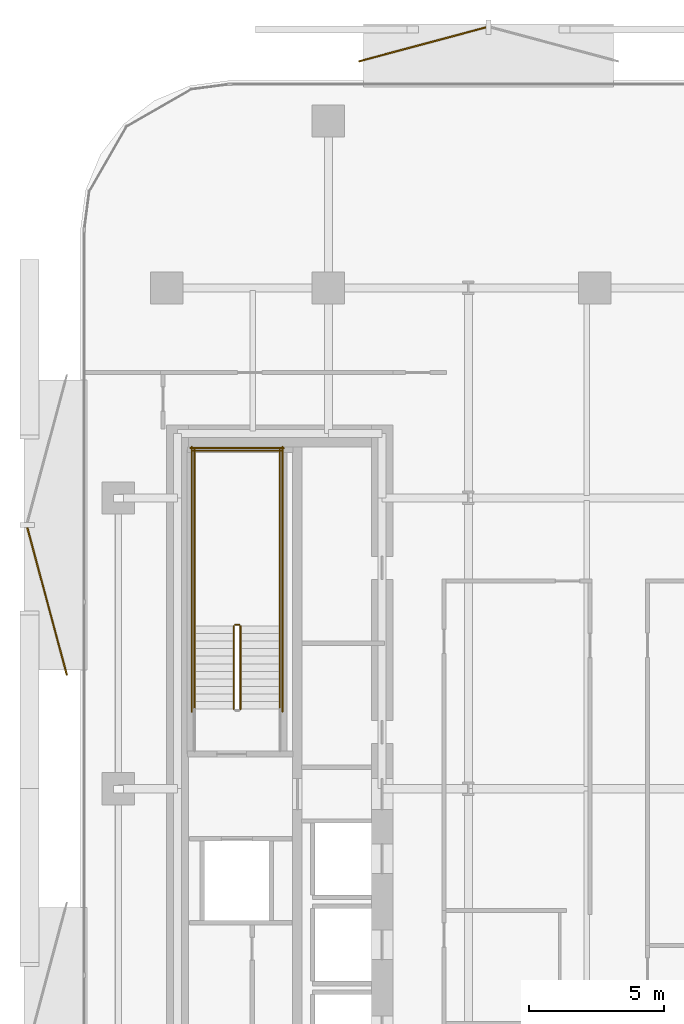
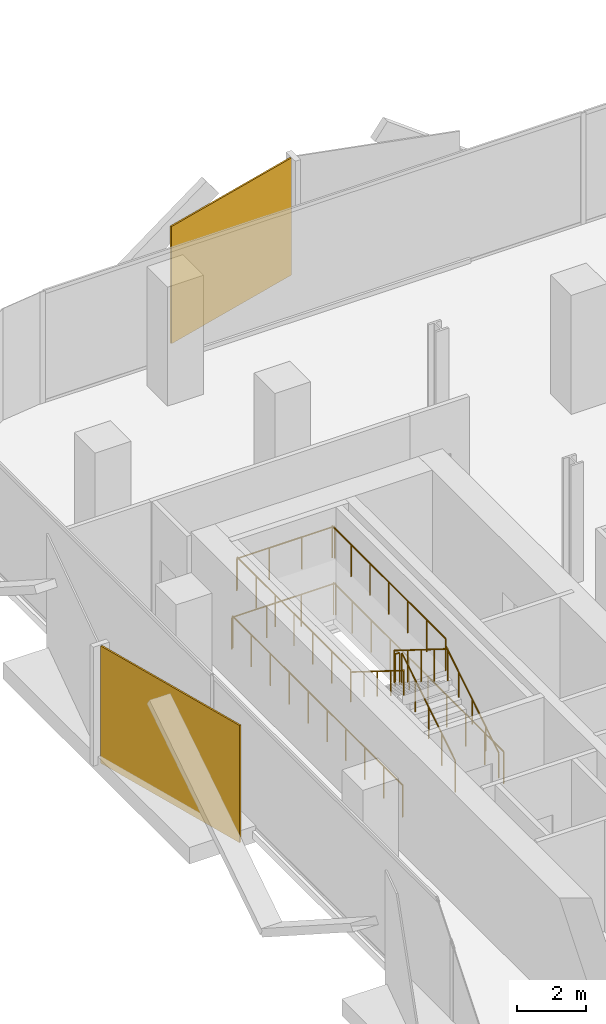
# One storey, part 14 of 15: 11 railings, 2 coverings.
"""IFC4 building model written with IfcOpenShell, lengths in metres."""

from ifc_helpers import new_model, si_unit, direction, frame, origin, origin_2d, place, context, subcontext, project, spatial, rectangle, circle, extrude, material, layer, layer_set, type_object, element, save


model = new_model("IFC4")

# Units and contexts
model_context = context("Model", 3, precision=1e-05, world=origin(), true_north=direction((0.0, 1.0)))
body_context = subcontext(model_context, "Body", "Model", "MODEL_VIEW")
ifc_project = project(units=[si_unit("LENGTHUNIT", "METRE"), si_unit("AREAUNIT", "SQUARE_METRE"), si_unit("VOLUMEUNIT", "CUBIC_METRE"), si_unit("PLANEANGLEUNIT", "RADIAN"), si_unit("MASSUNIT", "GRAM", prefix="KILO")], contexts=[model_context])

# Site, building, storey
site_placement = place(None, origin())
site = spatial("IfcSite", under=ifc_project, at=site_placement, CompositionType="ELEMENT")
building_placement = place(site_placement, origin())
building = spatial("IfcBuilding", under=site, at=building_placement, Name="Khairoan Windgate Tower", CompositionType="ELEMENT")
storey_placement = place(building_placement, frame((0.0, 0.0, 105.800048828125)))
storey = spatial("IfcBuildingStorey", under=building, at=storey_placement, Name="L24", CompositionType="ELEMENT", Elevation=105.800048828125)

# Coverings
ifc_material_1 = material(Name="Anodised Bronze Aluminium 6063-T6", Category="aluminium")
ifc_layer = layer(ifc_material_1, 0.054931640625, Name="Anodised Bronze Aluminium 6063-T6")
ifc_layer_set = layer_set([ifc_layer], Name="Anodised Bronze Aluminium 6063-T6")
covering_type = type_object("IfcCoveringType", Name="Perforated Bronze-Ceramic Folded Solar Screen Cladding BSC-1", PredefinedType="CLADDING", material=ifc_layer_set)
covering_1_placement = place(storey_placement, frame((-24.8447265625, 6.961669921875, -0.10009765625), z_axis=(0.0, 0.0, 1.0), x_axis=(-0.258819045103, 0.965925826289, 0.0)))
element("IfcCovering", 1, at=covering_1_placement, inside=storey, type_object=covering_type, Name="L24 Folded Bronze Solar Screen Facet 140L", PredefinedType="CLADDING", context=body_context, shape_type="SweptSolid", body=[
    extrude(rectangle(XDim=5.680908203125, YDim=0.054931640625, at=origin_2d()), origin(), (0.0, 0.0, 1.0), 4.139892578125),
])
covering_2_placement = place(storey_placement, frame((-10.90087890625, 27.646240234375, -0.10009765625), z_axis=(0.0, 0.0, 1.0), x_axis=(0.965925826289, 0.258819045103, 0.0)))
element("IfcCovering", 2, at=covering_2_placement, inside=storey, type_object=covering_type, Name="L24 Folded Bronze Solar Screen Facet 141L", PredefinedType="CLADDING", context=body_context, shape_type="SweptSolid", body=[
    extrude(rectangle(XDim=4.89794921875, YDim=0.054931640625, at=origin_2d()), origin(), (0.0, 0.0, 1.0), 4.139892578125),
])

# Railings
ifc_material_2 = material(Name="Anodised Bronze Aluminium 6063-T6", Category="aluminium")
railing_type_1 = type_object("IfcRailingType", Name="Stair Wall Handrail SHR-900", PredefinedType="HANDRAIL", material=ifc_material_2)
railing_1_placement = place(storey_placement, frame((-16.199951171875, 2.9599609375, 0.175048828125)))
element("IfcRailing", 3, at=railing_1_placement, inside=storey, type_object=railing_type_1, Name="L24 ST2 stair handrail 1", PredefinedType="HANDRAIL", context=body_context, shape_type="SweptSolid", body=[
    extrude(circle(Radius=0.02392578125, at=origin_2d()), frame((0.0, 0.0, 0.8759765625), z_axis=(0.0, 0.848028513186, 0.529950602248), x_axis=(-1.0, 0.0, 0.0)), (0.0, 0.0, 1.0), 3.632080078125),
    extrude(circle(Radius=0.02099609375, at=origin_2d()), origin(), (0.0, 0.0, 1.0), 0.851806640625),
    extrude(circle(Radius=0.02099609375, at=origin_2d()), frame((0.0, 0.77001953125, 0.481201171875)), (0.0, 0.0, 1.0), 0.851806640625),
    extrude(circle(Radius=0.02099609375, at=origin_2d()), frame((0.0, 1.5400390625, 0.96240234375)), (0.0, 0.0, 1.0), 0.851806640625),
    extrude(circle(Radius=0.02099609375, at=origin_2d()), frame((0.0, 2.31005859375, 1.443603515625)), (0.0, 0.0, 1.0), 0.851806640625),
    extrude(circle(Radius=0.02099609375, at=origin_2d()), frame((0.0, 3.080078125, 1.9248046875)), (0.0, 0.0, 1.0), 0.851806640625),
])
railing_2_placement = place(storey_placement, frame((-19.3701171875, 6.0400390625, 2.27490234375)))
element("IfcRailing", 4, at=railing_2_placement, inside=storey, type_object=railing_type_1, Name="L24 ST2 stair handrail 2", PredefinedType="HANDRAIL", context=body_context, shape_type="SweptSolid", body=[
    extrude(circle(Radius=0.02392578125, at=origin_2d()), frame((0.0, 0.0, 0.8759765625), z_axis=(0.0, -0.847998304005, 0.529998940003), x_axis=(1.0, 0.0, 0.0)), (0.0, 0.0, 1.0), 3.632080078125),
    extrude(circle(Radius=0.02099609375, at=origin_2d()), origin(), (0.0, 0.0, 1.0), 0.851806640625),
    extrude(circle(Radius=0.02099609375, at=origin_2d()), frame((0.0, -0.77001953125, 0.481201171875)), (0.0, 0.0, 1.0), 0.851806640625),
    extrude(circle(Radius=0.02099609375, at=origin_2d()), frame((0.0, -1.5400390625, 0.96240234375)), (0.0, 0.0, 1.0), 0.851806640625),
    extrude(circle(Radius=0.02099609375, at=origin_2d()), frame((0.0, -2.31005859375, 1.44384765625)), (0.0, 0.0, 1.0), 0.851806640625),
    extrude(circle(Radius=0.02099609375, at=origin_2d()), frame((0.0, -3.080078125, 1.925048828125)), (0.0, 0.0, 1.0), 0.851806640625),
])
ifc_material_3 = material(Name="Steel S355", Category="steel")
railing_type_2 = type_object("IfcRailingType", Name="Stairwell Safety Guardrail SGR-1150", PredefinedType="GUARDRAIL", material=ifc_material_3)
railing_3_placement = place(storey_placement, frame((-17.659912109375, 2.9599609375, 0.175048828125)))
element("IfcRailing", 5, at=railing_3_placement, inside=storey, type_object=railing_type_2, Name="L24 ST2 stair guard 1", PredefinedType="GUARDRAIL", context=body_context, shape_type="SweptSolid", body=[
    extrude(circle(Radius=0.02392578125, at=origin_2d()), frame((0.0, 0.0, 1.1259765625), z_axis=(0.0, 0.848028513186, 0.529950602248), x_axis=(-1.0, 0.0, 0.0)), (0.0, 0.0, 1.0), 3.632080078125),
    extrude(circle(Radius=0.02099609375, at=origin_2d()), origin(), (0.0, 0.0, 1.0), 1.101806640625),
    extrude(circle(Radius=0.02099609375, at=origin_2d()), frame((0.0, 0.77001953125, 0.481201171875)), (0.0, 0.0, 1.0), 1.101806640625),
    extrude(circle(Radius=0.02099609375, at=origin_2d()), frame((0.0, 1.5400390625, 0.96240234375)), (0.0, 0.0, 1.0), 1.101806640625),
    extrude(circle(Radius=0.02099609375, at=origin_2d()), frame((0.0, 2.31005859375, 1.443603515625)), (0.0, 0.0, 1.0), 1.101806640625),
    extrude(circle(Radius=0.02099609375, at=origin_2d()), frame((0.0, 3.080078125, 1.9248046875)), (0.0, 0.0, 1.0), 1.101806640625),
])
railing_4_placement = place(storey_placement, frame((-17.7099609375, 6.090087890625, 2.099853515625)))
element("IfcRailing", 6, at=railing_4_placement, inside=storey, type_object=railing_type_2, Name="L24 ST2 stair guard 2", PredefinedType="GUARDRAIL", context=body_context, shape_type="SweptSolid", body=[
    extrude(circle(Radius=0.02392578125, at=origin_2d()), frame((0.0, 0.0, 1.1259765625), z_axis=(-1.0, 0.0, 0.0), x_axis=(0.0, -1.0, 0.0)), (0.0, 0.0, 1.0), 0.150146484375),
    extrude(circle(Radius=0.02099609375, at=origin_2d()), origin(), (0.0, 0.0, 1.0), 1.101806640625),
    extrude(circle(Radius=0.02099609375, at=origin_2d()), frame((-0.150146484375, 0.0, 0.0)), (0.0, 0.0, 1.0), 1.101806640625),
])
for number, where, name in (
    (7, (-16.199951171875, 6.0400390625, 2.099853515625), "L24 ST2 stair guard 3"),
    (8, (-19.3701171875, 6.0400390625, 2.099853515625), "L24 ST2 stair guard 4"),
):
    element("IfcRailing", number, at=place(storey_placement, frame(where)), inside=storey, type_object=railing_type_2, Name=name, PredefinedType="GUARDRAIL", context=body_context, shape_type="SweptSolid", body=[
        extrude(circle(Radius=0.02392578125, at=origin_2d()), frame((0.0, 0.0, 1.1259765625), z_axis=(0.0, 1.0, 0.0), x_axis=(-1.0, 0.0, 0.0)), (0.0, 0.0, 1.0), 6.56005859375),
        extrude(circle(Radius=0.02099609375, at=origin_2d()), origin(), (0.0, 0.0, 1.0), 1.101806640625),
        extrude(circle(Radius=0.02099609375, at=origin_2d()), frame((0.0, 1.09326171875, 0.0)), (0.0, 0.0, 1.0), 1.101806640625),
        extrude(circle(Radius=0.02099609375, at=origin_2d()), frame((0.0, 2.186767578125, 0.0)), (0.0, 0.0, 1.0), 1.101806640625),
        extrude(circle(Radius=0.02099609375, at=origin_2d()), frame((0.0, 3.280029296875, 0.0)), (0.0, 0.0, 1.0), 1.101806640625),
        extrude(circle(Radius=0.02099609375, at=origin_2d()), frame((0.0, 4.373291015625, 0.0)), (0.0, 0.0, 1.0), 1.101806640625),
        extrude(circle(Radius=0.02099609375, at=origin_2d()), frame((0.0, 5.466796875, 0.0)), (0.0, 0.0, 1.0), 1.101806640625),
        extrude(circle(Radius=0.02099609375, at=origin_2d()), frame((0.0, 6.56005859375, 0.0)), (0.0, 0.0, 1.0), 1.101806640625),
    ])
railing_5_placement = place(storey_placement, frame((-16.14990234375, 12.550048828125, 2.099853515625)))
element("IfcRailing", 9, at=railing_5_placement, inside=storey, type_object=railing_type_2, Name="L24 ST2 stair guard 5", PredefinedType="GUARDRAIL", context=body_context, shape_type="SweptSolid", body=[
    extrude(circle(Radius=0.02392578125, at=origin_2d()), frame((0.0, 0.0, 1.1259765625), z_axis=(-1.0, 0.0, 0.0), x_axis=(0.0, -1.0, 0.0)), (0.0, 0.0, 1.0), 3.27001953125),
    extrude(circle(Radius=0.02099609375, at=origin_2d()), origin(), (0.0, 0.0, 1.0), 1.101806640625),
    extrude(circle(Radius=0.02099609375, at=origin_2d()), frame((-1.090087890625, 0.0, 0.0)), (0.0, 0.0, 1.0), 1.101806640625),
    extrude(circle(Radius=0.02099609375, at=origin_2d()), frame((-2.179931640625, 0.0, 0.0)), (0.0, 0.0, 1.0), 1.101806640625),
    extrude(circle(Radius=0.02099609375, at=origin_2d()), frame((-3.27001953125, 0.0, 0.0)), (0.0, 0.0, 1.0), 1.101806640625),
])
railing_6_placement = place(storey_placement, frame((-17.909912109375, 6.0400390625, 2.27490234375)))
element("IfcRailing", 10, at=railing_6_placement, inside=storey, type_object=railing_type_2, Name="L24 ST2 stair guard 6", PredefinedType="GUARDRAIL", context=body_context, shape_type="SweptSolid", body=[
    extrude(circle(Radius=0.02392578125, at=origin_2d()), frame((0.0, 0.0, 1.1259765625), z_axis=(0.0, -0.847998304005, 0.529998940003), x_axis=(1.0, 0.0, 0.0)), (0.0, 0.0, 1.0), 3.632080078125),
    extrude(circle(Radius=0.02099609375, at=origin_2d()), origin(), (0.0, 0.0, 1.0), 1.101806640625),
    extrude(circle(Radius=0.02099609375, at=origin_2d()), frame((0.0, -0.77001953125, 0.481201171875)), (0.0, 0.0, 1.0), 1.101806640625),
    extrude(circle(Radius=0.02099609375, at=origin_2d()), frame((0.0, -1.5400390625, 0.96240234375)), (0.0, 0.0, 1.0), 1.101806640625),
    extrude(circle(Radius=0.02099609375, at=origin_2d()), frame((0.0, -2.31005859375, 1.44384765625)), (0.0, 0.0, 1.0), 1.101806640625),
    extrude(circle(Radius=0.02099609375, at=origin_2d()), frame((0.0, -3.080078125, 1.925048828125)), (0.0, 0.0, 1.0), 1.101806640625),
])
for number, where, name in (
    (11, (-16.10009765625, 2.860107421875, 0.0), "L24 ST2 stair guard 10"),
    (12, (-19.469970703125, 2.860107421875, 0.0), "L24 ST2 stair guard 11"),
):
    element("IfcRailing", number, at=place(storey_placement, frame(where)), inside=storey, type_object=railing_type_2, Name=name, PredefinedType="GUARDRAIL", context=body_context, shape_type="SweptSolid", body=[
        extrude(circle(Radius=0.02392578125, at=origin_2d()), frame((0.0, 0.0, 1.1259765625), z_axis=(0.0, 1.0, 0.0), x_axis=(-1.0, 0.0, 0.0)), (0.0, 0.0, 1.0), 9.83984375),
        extrude(circle(Radius=0.02099609375, at=origin_2d()), origin(), (0.0, 0.0, 1.0), 1.101806640625),
        extrude(circle(Radius=0.02099609375, at=origin_2d()), frame((0.0, 1.09326171875, 0.0)), (0.0, 0.0, 1.0), 1.101806640625),
        extrude(circle(Radius=0.02099609375, at=origin_2d()), frame((0.0, 2.1865234375, 0.0)), (0.0, 0.0, 1.0), 1.101806640625),
        extrude(circle(Radius=0.02099609375, at=origin_2d()), frame((0.0, 3.280029296875, 0.0)), (0.0, 0.0, 1.0), 1.101806640625),
        extrude(circle(Radius=0.02099609375, at=origin_2d()), frame((0.0, 4.373291015625, 0.0)), (0.0, 0.0, 1.0), 1.101806640625),
        extrude(circle(Radius=0.02099609375, at=origin_2d()), frame((0.0, 5.466552734375, 0.0)), (0.0, 0.0, 1.0), 1.101806640625),
        extrude(circle(Radius=0.02099609375, at=origin_2d()), frame((0.0, 6.559814453125, 0.0)), (0.0, 0.0, 1.0), 1.101806640625),
        extrude(circle(Radius=0.02099609375, at=origin_2d()), frame((0.0, 7.6533203125, 0.0)), (0.0, 0.0, 1.0), 1.101806640625),
        extrude(circle(Radius=0.02099609375, at=origin_2d()), frame((0.0, 8.74658203125, 0.0)), (0.0, 0.0, 1.0), 1.101806640625),
        extrude(circle(Radius=0.02099609375, at=origin_2d()), frame((0.0, 9.83984375, 0.0)), (0.0, 0.0, 1.0), 1.101806640625),
    ])
railing_7_placement = place(storey_placement, frame((-16.050048828125, 12.64990234375, 0.0)))
element("IfcRailing", 13, at=railing_7_placement, inside=storey, type_object=railing_type_2, Name="L24 ST2 stair guard 12", PredefinedType="GUARDRAIL", context=body_context, shape_type="SweptSolid", body=[
    extrude(circle(Radius=0.02392578125, at=origin_2d()), frame((0.0, 0.0, 1.1259765625), z_axis=(-1.0, 0.0, 0.0), x_axis=(0.0, -1.0, 0.0)), (0.0, 0.0, 1.0), 3.469970703125),
    extrude(circle(Radius=0.02099609375, at=origin_2d()), origin(), (0.0, 0.0, 1.0), 1.101806640625),
    extrude(circle(Radius=0.02099609375, at=origin_2d()), frame((-1.15673828125, 0.0, 0.0)), (0.0, 0.0, 1.0), 1.101806640625),
    extrude(circle(Radius=0.02099609375, at=origin_2d()), frame((-2.313232421875, 0.0, 0.0)), (0.0, 0.0, 1.0), 1.101806640625),
    extrude(circle(Radius=0.02099609375, at=origin_2d()), frame((-3.469970703125, 0.0, 0.0)), (0.0, 0.0, 1.0), 1.101806640625),
])

save(model, "model.ifc")
